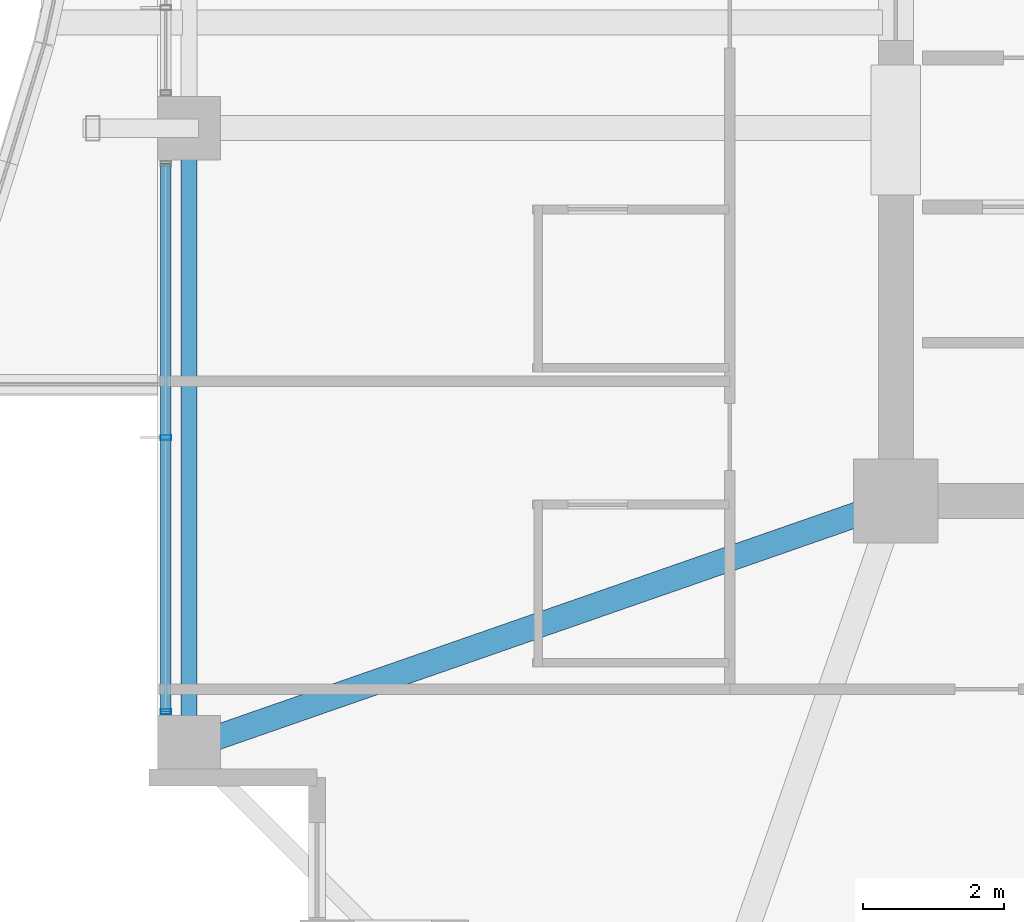
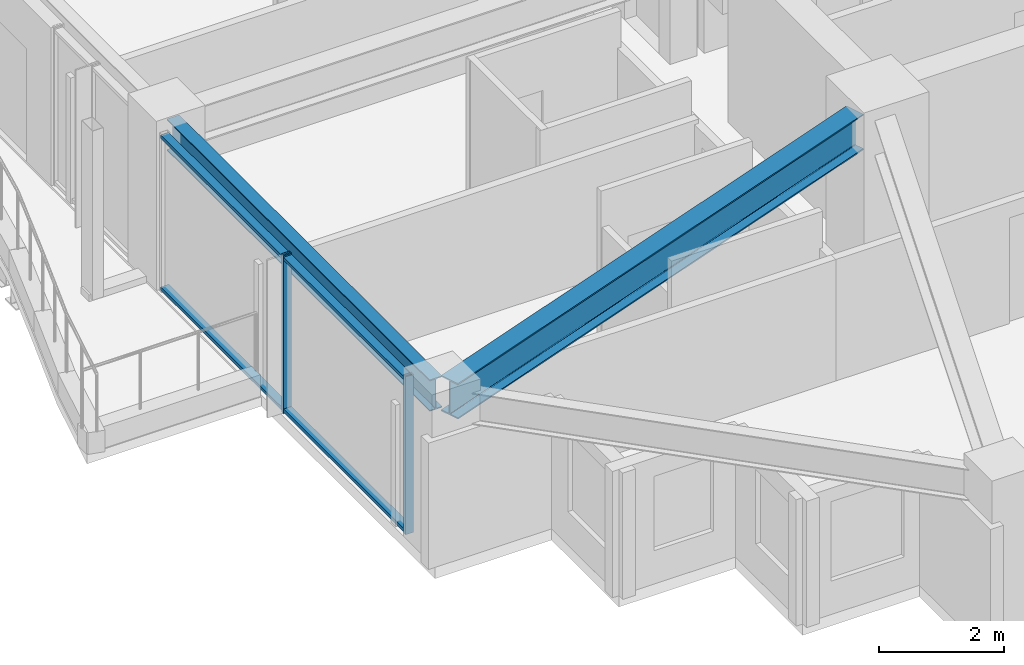
# One storey, part 3 of 35: 4 members, 2 beams, 1 element without a shape of its own.
"""IFC4 building model written with IfcOpenShell, lengths in metres."""

from ifc_helpers import new_model, si_unit, direction, frame, origin, origin_2d, place, context, subcontext, project, spatial, hollow_rectangle, i_section, extrude, material, material_profile, profile_set, type_object, element, aggregate, save


model = new_model("IFC4")

# Units and contexts
model_context = context("Model", 3, precision=1e-05, world=origin(), true_north=direction((0.0, 1.0)))
body_context = subcontext(model_context, "Body", "Model", "MODEL_VIEW")
ifc_project = project(units=[si_unit("LENGTHUNIT", "METRE"), si_unit("AREAUNIT", "SQUARE_METRE"), si_unit("VOLUMEUNIT", "CUBIC_METRE"), si_unit("PLANEANGLEUNIT", "RADIAN"), si_unit("MASSUNIT", "GRAM", prefix="KILO")], contexts=[model_context])

# Site, building, storey
site_placement = place(None, origin())
site = spatial("IfcSite", under=ifc_project, at=site_placement, CompositionType="ELEMENT")
building_placement = place(site_placement, origin())
building = spatial("IfcBuilding", under=site, at=building_placement, Name="Kolvaren Belvedere", CompositionType="ELEMENT")
storey_placement = place(building_placement, frame((0.0, 0.0, 183.300048828125)))
storey = spatial("IfcBuildingStorey", under=building, at=storey_placement, Name="L53", CompositionType="ELEMENT", Elevation=183.300048828125)

# Beams
ifc_material_1 = material(Name="Structural steel ASTM A992 Grade 50", Category="steel")
ifc_material_profile_1 = material_profile(ifc_material_1, i_section(OverallWidth=0.35498046875, OverallDepth=0.696044921875, WebThickness=0.015380859375, FlangeThickness=0.02490234375, FilletRadius=0.02197265625, at=origin_2d()), Name="W27X146")
ifc_profile_set_1 = profile_set([ifc_material_profile_1], Name="Structural steel ASTM A992 Grade 50")
beam_type_1 = type_object("IfcBeamType", Name="BM-GIRD-W27X146", PredefinedType="BEAM", material=ifc_profile_set_1)
beam_1_placement = place(storey_placement, frame((-10.41943359375, -10.080810546875, 2.73193359375), z_axis=(-0.944366798861, -0.328894130701, 0.0), x_axis=(0.328894130701, -0.944366798861, 0.0)))
element("IfcBeam", 1, at=beam_1_placement, inside=storey, type_object=beam_type_1, Name="L53 Corner Core-to-Perimeter Girder CC1-W1", PredefinedType="BEAM", context=body_context, shape_type="SweptSolid", body=[
    extrude(i_section(OverallWidth=0.35498046875, OverallDepth=0.696044921875, WebThickness=0.015380859375, FlangeThickness=0.02490234375, FilletRadius=0.02197265625, at=origin_2d()), origin(), (0.0, 0.0, 1.0), 9.912109375),
])
ifc_material_2 = material(Name="Structural steel ASTM A992 Grade 50", Category="steel")
ifc_material_profile_2 = material_profile(ifc_material_2, i_section(OverallWidth=0.22900390625, OverallDepth=0.612060546875, WebThickness=0.011962890625, FlangeThickness=0.01953125, FilletRadius=0.01806640625, at=origin_2d()), Name="W24X84")
ifc_profile_set_2 = profile_set([ifc_material_profile_2], Name="Structural steel ASTM A992 Grade 50")
beam_type_2 = type_object("IfcBeamType", Name="BM-SPAN-W24X84", PredefinedType="SPANDREL", material=ifc_profile_set_2)
beam_2_placement = place(storey_placement, frame((-19.949951171875, -4.802490234375, 2.77392578125), z_axis=(0.0, -1.0, 0.0), x_axis=(1.0, 0.0, 0.0)))
element("IfcBeam", 2, at=beam_2_placement, inside=storey, type_object=beam_type_2, Name="L53 Perimeter Spandrel W2-W1", PredefinedType="SPANDREL", context=body_context, shape_type="SweptSolid", body=[
    extrude(i_section(OverallWidth=0.22900390625, OverallDepth=0.612060546875, WebThickness=0.011962890625, FlangeThickness=0.01953125, FilletRadius=0.01806640625, at=origin_2d()), origin(), (0.0, 0.0, 1.0), 8.39501953125),
])

# Curtain wall, members
ifc_material_3 = material(Name="Anodised pale-metal aluminium AA 6063-T6", Category="aluminium")
curtain_wall_type = type_object("IfcCurtainWallType", Name="CW-Z5-HIGH", PredefinedType="NOTDEFINED", material=ifc_material_3)
curtain_wall_placement = place(storey_placement, origin())
curtain_wall = element("IfcCurtainWall", 3, at=curtain_wall_placement, inside=storey, type_object=curtain_wall_type, Name="L53 Unitised Curtain Wall FCW-L53-W1-B1", PredefinedType="NOTDEFINED")
ifc_material_4 = material(Name="Anodised pale-metal aluminium AA 6063-T6", Category="aluminium")
ifc_material_profile_3 = material_profile(ifc_material_4, hollow_rectangle(XDim=0.070068359375, YDim=0.14990234375, WallThickness=0.004150390625, at=origin_2d()), Name="ALU-MUL-150X70")
ifc_profile_set_3 = profile_set([ifc_material_profile_3], Name="Anodised pale-metal aluminium AA 6063-T6")
member_type_1 = type_object("IfcMemberType", Name="CW-MUL-150", PredefinedType="MULLION", material=ifc_profile_set_3)
member_1_placement = place(storey_placement, frame((-20.280029296875, -12.89501953125, 0.0), z_axis=(0.0, 0.0, 1.0), x_axis=(0.0, 1.0, 0.0)))
member_1 = element("IfcMember", 4, at=member_1_placement, type_object=member_type_1, Name="FCW-L53-W1-B1 Unitised Mullion 1", PredefinedType="MULLION", context=body_context, shape_type="SweptSolid", body=[
    extrude(hollow_rectangle(XDim=0.070068359375, YDim=0.14990234375, WallThickness=0.004150390625, at=origin_2d()), origin(), (0.0, 0.0, 1.0), 3.079833984375),
])
member_2_placement = place(storey_placement, frame((-20.280029296875, -9.0, 0.0), z_axis=(0.0, 0.0, 1.0), x_axis=(0.0, 1.0, 0.0)))
member_2 = element("IfcMember", 5, at=member_2_placement, type_object=member_type_1, Name="FCW-L53-W1-B1 Unitised Mullion 2", PredefinedType="MULLION", context=body_context, shape_type="SweptSolid", body=[
    extrude(hollow_rectangle(XDim=0.070068359375, YDim=0.14990234375, WallThickness=0.004150390625, at=origin_2d()), origin(), (0.0, 0.0, 1.0), 3.079833984375),
])
ifc_material_5 = material(Name="Anodised pale-metal aluminium AA 6063-T6", Category="aluminium")
ifc_material_profile_4 = material_profile(ifc_material_5, hollow_rectangle(XDim=0.06494140625, YDim=0.14990234375, WallThickness=0.00390625, at=origin_2d()), Name="ALU-TRN-150X65")
ifc_profile_set_4 = profile_set([ifc_material_profile_4], Name="Anodised pale-metal aluminium AA 6063-T6")
member_type_2 = type_object("IfcMemberType", Name="CW-TRN-150", PredefinedType="USERDEFINED", material=ifc_profile_set_4)
member_3_placement = place(storey_placement, frame((-20.280029296875, -12.89501953125, 0.06005859375), z_axis=(0.0, 1.0, 0.0), x_axis=(0.0, 0.0, 1.0)))
member_3 = element("IfcMember", 6, at=member_3_placement, type_object=member_type_2, Name="FCW-L53-W1-B1 Sill Transom", ObjectType="TRANSOM", PredefinedType="USERDEFINED", context=body_context, shape_type="SweptSolid", body=[
    extrude(hollow_rectangle(XDim=0.06494140625, YDim=0.14990234375, WallThickness=0.00390625, at=origin_2d()), origin(), (0.0, 0.0, 1.0), 7.7900390625),
])
member_4_placement = place(storey_placement, frame((-20.280029296875, -12.89501953125, 3.02001953125), z_axis=(0.0, 1.0, 0.0), x_axis=(0.0, 0.0, 1.0)))
member_4 = element("IfcMember", 7, at=member_4_placement, type_object=member_type_2, Name="FCW-L53-W1-B1 Head Transom", ObjectType="TRANSOM", PredefinedType="USERDEFINED", context=body_context, shape_type="SweptSolid", body=[
    extrude(hollow_rectangle(XDim=0.06494140625, YDim=0.14990234375, WallThickness=0.00390625, at=origin_2d()), origin(), (0.0, 0.0, 1.0), 7.7900390625),
])
aggregate(curtain_wall, [member_1, member_2, member_3, member_4])

save(model, "model.ifc")
